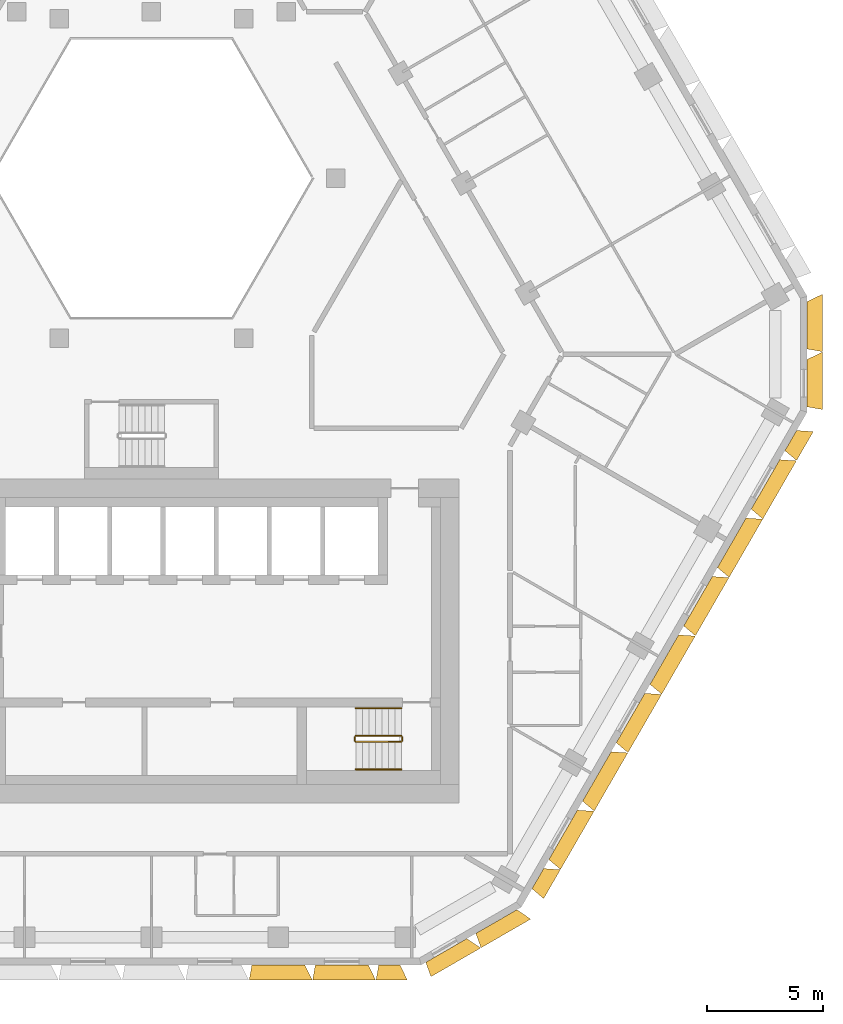
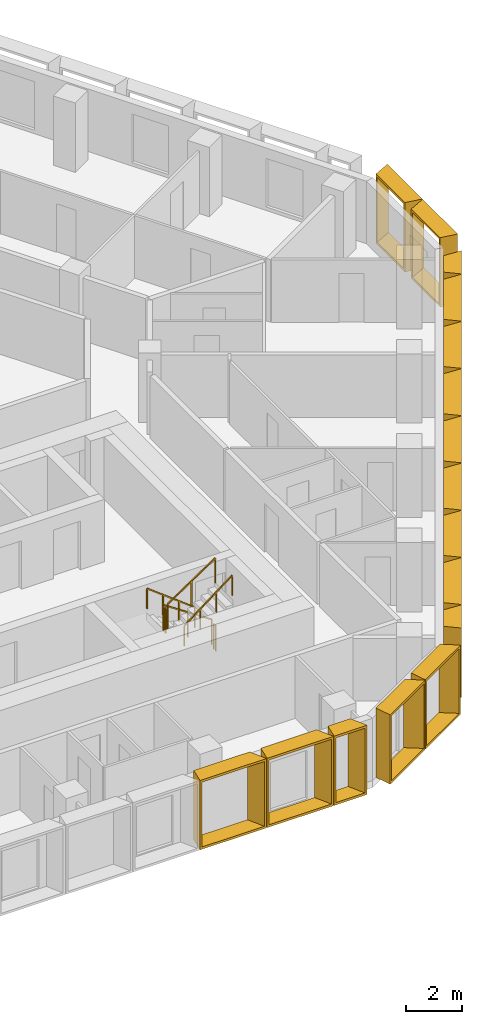
# One storey, part 14 of 15: 16 shading devices, 6 railings.
"""IFC4 building model written with IfcOpenShell, lengths in metres."""

from ifc_helpers import new_model, entity, si_unit, direction, frame, origin, origin_2d, place, context, subcontext, project, spatial, rectangle, extrude, source, transform, mapped, material, type_object, type_shapes, element, save


model = new_model("IFC4")

# Units and contexts
model_context = context("Model", 3, precision=1e-05, world=origin(), true_north=direction((0.0, 1.0)))
body_context = subcontext(model_context, "Body", "Model", "MODEL_VIEW")
ifc_project = project(units=[si_unit("LENGTHUNIT", "METRE"), si_unit("AREAUNIT", "SQUARE_METRE"), si_unit("VOLUMEUNIT", "CUBIC_METRE"), si_unit("PLANEANGLEUNIT", "RADIAN"), si_unit("MASSUNIT", "GRAM", prefix="KILO")], contexts=[model_context])

# Site, building, storey
site_placement = place(None, origin())
site = spatial("IfcSite", under=ifc_project, at=site_placement, CompositionType="ELEMENT")
building_placement = place(site_placement, origin())
building = spatial("IfcBuilding", under=site, at=building_placement, Name="Beryl Residences", CompositionType="ELEMENT")
storey_placement = place(building_placement, frame((0.0, 0.0, 147.60009765625)))
storey = spatial("IfcBuildingStorey", under=building, at=storey_placement, Name="L45", CompositionType="ELEMENT", Elevation=147.60009765625)

# Shading devices
ifc_material_1 = material(Name="Aluminium pale anodised", Category="aluminium")
shading_device_type_1 = type_object("IfcShadingDeviceType", Name="FR137-65C OUTER SKIN frame 650 mm deep, splay 10/26 deg, 1370 x 3000 mm cell", PredefinedType="USERDEFINED", material=ifc_material_1)
cartesian_point_1 = entity("IfcCartesianPoint", [-0.458984375, 0.0])
cartesian_point_2 = entity("IfcCartesianPoint", [-0.377685546875, 0.10009765625])
cartesian_point_3 = entity("IfcCartesianPoint", [-0.57373046875, 0.0])
cartesian_point_4 = entity("IfcCartesianPoint", [-0.492431640625, 0.10009765625])
shared_shape_1 = source(origin(), body_context, "Body", "SweptSolid", [
    entity("IfcExtrudedAreaSolidTapered", entity("IfcArbitraryProfileDefWithVoids", "AREA", None, entity("IfcPolyline", [cartesian_point_1, entity("IfcCartesianPoint", [0.458984375, 0.0]), entity("IfcCartesianPoint", [0.458984375, 3.0]), entity("IfcCartesianPoint", [-0.458984375, 3.0]), cartesian_point_1]), [entity("IfcPolyline", [cartesian_point_2, entity("IfcCartesianPoint", [0.369873046875, 0.10009765625]), entity("IfcCartesianPoint", [0.369873046875, 2.89990234375]), entity("IfcCartesianPoint", [-0.377685546875, 2.89990234375]), cartesian_point_2])]), entity("IfcAxis2Placement3D", entity("IfcCartesianPoint", [0.0, 0.0, 0.0]), entity("IfcDirection", [0.0, 1.0, 0.0]), entity("IfcDirection", [-1.0, 0.0, 0.0])), entity("IfcDirection", [0.0, 0.0, 1.0]), 0.64990234375, entity("IfcArbitraryProfileDefWithVoids", "AREA", None, entity("IfcPolyline", [cartesian_point_3, entity("IfcCartesianPoint", [0.776123046875, 0.0]), entity("IfcCartesianPoint", [0.776123046875, 3.0]), entity("IfcCartesianPoint", [-0.57373046875, 3.0]), cartesian_point_3]), [entity("IfcPolyline", [cartesian_point_4, entity("IfcCartesianPoint", [0.68701171875, 0.10009765625]), entity("IfcCartesianPoint", [0.68701171875, 2.89990234375]), entity("IfcCartesianPoint", [-0.492431640625, 2.89990234375]), cartesian_point_4])])),
])
type_shapes(shading_device_type_1, [shared_shape_1])
shading_device_placement = place(storey_placement, frame((10.284912109375, -26.0, 0.0), z_axis=(0.0, 0.0, 1.0), x_axis=(-1.0, 0.0, 0.0)))
element("IfcShadingDevice", 1, at=shading_device_placement, inside=storey, type_object=shading_device_type_1, Name="FR137-65C frame L45 S 9", ObjectType="OUTER SKIN", PredefinedType="USERDEFINED", context=body_context, shape_type="MappedRepresentation", body=[
    mapped(shared_shape_1, transform((0.0, 0.0, 0.0))),
])
ifc_material_2 = material(Name="Aluminium pale anodised", Category="aluminium")
shading_device_type_2 = type_object("IfcShadingDeviceType", Name="FR146-65C OUTER SKIN frame 650 mm deep, splay 10/26 deg, 1460 x 3000 mm cell", PredefinedType="USERDEFINED", material=ifc_material_2)
cartesian_point_5 = entity("IfcCartesianPoint", [-0.50390625, 0.0])
cartesian_point_6 = entity("IfcCartesianPoint", [-0.4228515625, 0.10009765625])
cartesian_point_7 = entity("IfcCartesianPoint", [-0.61865234375, 0.0])
cartesian_point_8 = entity("IfcCartesianPoint", [-0.537353515625, 0.10009765625])
shared_shape_2 = source(origin(), body_context, "Body", "SweptSolid", [
    entity("IfcExtrudedAreaSolidTapered", entity("IfcArbitraryProfileDefWithVoids", "AREA", None, entity("IfcPolyline", [cartesian_point_5, entity("IfcCartesianPoint", [0.50390625, 0.0]), entity("IfcCartesianPoint", [0.50390625, 3.0]), entity("IfcCartesianPoint", [-0.50390625, 3.0]), cartesian_point_5]), [entity("IfcPolyline", [cartesian_point_6, entity("IfcCartesianPoint", [0.4150390625, 0.10009765625]), entity("IfcCartesianPoint", [0.4150390625, 2.89990234375]), entity("IfcCartesianPoint", [-0.4228515625, 2.89990234375]), cartesian_point_6])]), entity("IfcAxis2Placement3D", entity("IfcCartesianPoint", [0.0, 0.0, 0.0]), entity("IfcDirection", [0.0, 1.0, 0.0]), entity("IfcDirection", [-1.0, 0.0, 0.0])), entity("IfcDirection", [0.0, 0.0, 1.0]), 0.64990234375, entity("IfcArbitraryProfileDefWithVoids", "AREA", None, entity("IfcPolyline", [cartesian_point_7, entity("IfcCartesianPoint", [0.821044921875, 0.0]), entity("IfcCartesianPoint", [0.821044921875, 3.0]), entity("IfcCartesianPoint", [-0.61865234375, 3.0]), cartesian_point_7]), [entity("IfcPolyline", [cartesian_point_8, entity("IfcCartesianPoint", [0.73193359375, 0.10009765625]), entity("IfcCartesianPoint", [0.73193359375, 2.89990234375]), entity("IfcCartesianPoint", [-0.537353515625, 2.89990234375]), cartesian_point_8])])),
])
type_shapes(shading_device_type_2, [shared_shape_2])
for number, where, z_axis, x_axis, name in (
    (2, (16.702880859375, -22.26904296875, 0.0), (0.0, 0.0, 1.0), (-0.5, -0.866025403784, 0.0), "FR146-65C frame L45 SE 1"),
    (3, (27.635986328125, -3.33203125, 0.0), (0.0, 0.0, 1.0), (-0.5, -0.866025403784, 0.0), "FR146-65C frame L45 SE 9"),
):
    element("IfcShadingDevice", number, at=place(storey_placement, frame(where, z_axis=z_axis, x_axis=x_axis)), inside=storey, type_object=shading_device_type_2, Name=name, ObjectType="OUTER SKIN", PredefinedType="USERDEFINED", context=body_context, shape_type="MappedRepresentation", body=[
        mapped(shared_shape_2, transform((0.0, 0.0, 0.0))),
    ])
ifc_material_3 = material(Name="Aluminium pale anodised", Category="aluminium")
shading_device_type_3 = type_object("IfcShadingDeviceType", Name="FR250-65C OUTER SKIN frame 650 mm deep, splay 10/26 deg, 2500 x 3000 mm cell", PredefinedType="USERDEFINED", material=ifc_material_3)
cartesian_point_9 = entity("IfcCartesianPoint", [-1.02392578125, 0.0])
cartesian_point_10 = entity("IfcCartesianPoint", [-0.94287109375, 0.10009765625])
cartesian_point_11 = entity("IfcCartesianPoint", [-1.138671875, 0.0])
cartesian_point_12 = entity("IfcCartesianPoint", [-1.057373046875, 0.10009765625])
shared_shape_3 = source(origin(), body_context, "Body", "SweptSolid", [
    entity("IfcExtrudedAreaSolidTapered", entity("IfcArbitraryProfileDefWithVoids", "AREA", None, entity("IfcPolyline", [cartesian_point_9, entity("IfcCartesianPoint", [1.02392578125, 0.0]), entity("IfcCartesianPoint", [1.02392578125, 3.0]), entity("IfcCartesianPoint", [-1.02392578125, 3.0]), cartesian_point_9]), [entity("IfcPolyline", [cartesian_point_10, entity("IfcCartesianPoint", [0.93505859375, 0.10009765625]), entity("IfcCartesianPoint", [0.93505859375, 2.89990234375]), entity("IfcCartesianPoint", [-0.94287109375, 2.89990234375]), cartesian_point_10])]), entity("IfcAxis2Placement3D", entity("IfcCartesianPoint", [0.0, 0.0, 0.0]), entity("IfcDirection", [0.0, 1.0, 0.0]), entity("IfcDirection", [-1.0, 0.0, 0.0])), entity("IfcDirection", [0.0, 0.0, 1.0]), 0.64990234375, entity("IfcArbitraryProfileDefWithVoids", "AREA", None, entity("IfcPolyline", [cartesian_point_11, entity("IfcCartesianPoint", [1.341064453125, 0.0]), entity("IfcCartesianPoint", [1.341064453125, 3.0]), entity("IfcCartesianPoint", [-1.138671875, 3.0]), cartesian_point_11]), [entity("IfcPolyline", [cartesian_point_12, entity("IfcCartesianPoint", [1.251953125, 0.10009765625]), entity("IfcCartesianPoint", [1.251953125, 2.89990234375]), entity("IfcCartesianPoint", [-1.057373046875, 2.89990234375]), cartesian_point_12])])),
])
type_shapes(shading_device_type_3, [shared_shape_3])
for number, where, z_axis, x_axis, name in (
    (4, (12.7451171875, -25.375, 0.0), (0.0, 0.0, 1.0), (-0.866025403784, -0.5, 0.0), "FR250-65C frame L45 S-SE 1"),
    (5, (14.909912109375, -24.125, 0.0), (0.0, 0.0, 1.0), (-0.866025403784, -0.5, 0.0), "FR250-65C frame L45 S-SE 2"),
    (6, (28.347900390625, -0.85009765625, 0.0), (0.0, 0.0, 1.0), (0.0, -1.0, 0.0), "FR250-65C frame L45 SE-NE 1"),
    (7, (28.347900390625, 1.64990234375, 0.0), (0.0, 0.0, 1.0), (0.0, -1.0, 0.0), "FR250-65C frame L45 SE-NE 2"),
):
    element("IfcShadingDevice", number, at=place(storey_placement, frame(where, z_axis=z_axis, x_axis=x_axis)), inside=storey, type_object=shading_device_type_3, Name=name, ObjectType="OUTER SKIN", PredefinedType="USERDEFINED", context=body_context, shape_type="MappedRepresentation", body=[
        mapped(shared_shape_3, transform((0.0, 0.0, 0.0))),
    ])
ifc_material_4 = material(Name="Aluminium pale anodised", Category="aluminium")
shading_device_type_4 = type_object("IfcShadingDeviceType", Name="FR274-65C OUTER SKIN frame 650 mm deep, splay 10/26 deg, 2740 x 3000 mm cell", PredefinedType="USERDEFINED", material=ifc_material_4)
cartesian_point_13 = entity("IfcCartesianPoint", [-1.14404296875, 0.0])
cartesian_point_14 = entity("IfcCartesianPoint", [-1.062744140625, 0.10009765625])
cartesian_point_15 = entity("IfcCartesianPoint", [-1.258544921875, 0.0])
cartesian_point_16 = entity("IfcCartesianPoint", [-1.177490234375, 0.10009765625])
shared_shape_4 = source(origin(), body_context, "Body", "SweptSolid", [
    entity("IfcExtrudedAreaSolidTapered", entity("IfcArbitraryProfileDefWithVoids", "AREA", None, entity("IfcPolyline", [cartesian_point_13, entity("IfcCartesianPoint", [1.14404296875, 0.0]), entity("IfcCartesianPoint", [1.14404296875, 3.0]), entity("IfcCartesianPoint", [-1.14404296875, 3.0]), cartesian_point_13]), [entity("IfcPolyline", [cartesian_point_14, entity("IfcCartesianPoint", [1.054931640625, 0.10009765625]), entity("IfcCartesianPoint", [1.054931640625, 2.89990234375]), entity("IfcCartesianPoint", [-1.062744140625, 2.89990234375]), cartesian_point_14])]), entity("IfcAxis2Placement3D", entity("IfcCartesianPoint", [0.0, 0.0, 0.0]), entity("IfcDirection", [0.0, 1.0, 0.0]), entity("IfcDirection", [-1.0, 0.0, 0.0])), entity("IfcDirection", [0.0, 0.0, 1.0]), 0.64990234375, entity("IfcArbitraryProfileDefWithVoids", "AREA", None, entity("IfcPolyline", [cartesian_point_15, entity("IfcCartesianPoint", [1.4609375, 0.0]), entity("IfcCartesianPoint", [1.4609375, 3.0]), entity("IfcCartesianPoint", [-1.258544921875, 3.0]), cartesian_point_15]), [entity("IfcPolyline", [cartesian_point_16, entity("IfcCartesianPoint", [1.3720703125, 0.10009765625]), entity("IfcCartesianPoint", [1.3720703125, 2.89990234375]), entity("IfcCartesianPoint", [-1.177490234375, 2.89990234375]), cartesian_point_16])])),
])
type_shapes(shading_device_type_4, [shared_shape_4])
for number, where, z_axis, x_axis, name in (
    (8, (5.486083984375, -26.0, 0.0), (0.0, 0.0, 1.0), (-1.0, 0.0, 0.0), "FR274-65C frame L45 S 7"),
    (9, (8.22900390625, -26.0, 0.0), (0.0, 0.0, 1.0), (-1.0, 0.0, 0.0), "FR274-65C frame L45 S 8"),
):
    element("IfcShadingDevice", number, at=place(storey_placement, frame(where, z_axis=z_axis, x_axis=x_axis)), inside=storey, type_object=shading_device_type_4, Name=name, ObjectType="OUTER SKIN", PredefinedType="USERDEFINED", context=body_context, shape_type="MappedRepresentation", body=[
        mapped(shared_shape_4, transform((0.0, 0.0, 0.0))),
    ])
ifc_material_5 = material(Name="Aluminium pale anodised", Category="aluminium")
shading_device_type_5 = type_object("IfcShadingDeviceType", Name="FR292-65C OUTER SKIN frame 650 mm deep, splay 10/26 deg, 2920 x 3000 mm cell", PredefinedType="USERDEFINED", material=ifc_material_5)
cartesian_point_17 = entity("IfcCartesianPoint", [-1.23388671875, 0.0])
cartesian_point_18 = entity("IfcCartesianPoint", [-1.15283203125, 0.10009765625])
cartesian_point_19 = entity("IfcCartesianPoint", [-1.3486328125, 0.0])
cartesian_point_20 = entity("IfcCartesianPoint", [-1.267333984375, 0.10009765625])
shared_shape_5 = source(origin(), body_context, "Body", "SweptSolid", [
    entity("IfcExtrudedAreaSolidTapered", entity("IfcArbitraryProfileDefWithVoids", "AREA", None, entity("IfcPolyline", [cartesian_point_17, entity("IfcCartesianPoint", [1.23388671875, 0.0]), entity("IfcCartesianPoint", [1.23388671875, 3.0]), entity("IfcCartesianPoint", [-1.23388671875, 3.0]), cartesian_point_17]), [entity("IfcPolyline", [cartesian_point_18, entity("IfcCartesianPoint", [1.14501953125, 0.10009765625]), entity("IfcCartesianPoint", [1.14501953125, 2.89990234375]), entity("IfcCartesianPoint", [-1.15283203125, 2.89990234375]), cartesian_point_18])]), entity("IfcAxis2Placement3D", entity("IfcCartesianPoint", [0.0, 0.0, 0.0]), entity("IfcDirection", [0.0, 1.0, 0.0]), entity("IfcDirection", [-1.0, 0.0, 0.0])), entity("IfcDirection", [0.0, 0.0, 1.0]), 0.64990234375, entity("IfcArbitraryProfileDefWithVoids", "AREA", None, entity("IfcPolyline", [cartesian_point_19, entity("IfcCartesianPoint", [1.551025390625, 0.0]), entity("IfcCartesianPoint", [1.551025390625, 3.0]), entity("IfcCartesianPoint", [-1.3486328125, 3.0]), cartesian_point_19]), [entity("IfcPolyline", [cartesian_point_20, entity("IfcCartesianPoint", [1.4619140625, 0.10009765625]), entity("IfcCartesianPoint", [1.4619140625, 2.89990234375]), entity("IfcCartesianPoint", [-1.267333984375, 2.89990234375]), cartesian_point_20])])),
])
type_shapes(shading_device_type_5, [shared_shape_5])
for number, where, z_axis, x_axis, name in (
    (10, (17.7958984375, -20.3759765625, 0.0), (0.0, 0.0, 1.0), (-0.5, -0.866025403784, 0.0), "FR292-65C frame L45 SE 2"),
    (11, (19.25390625, -17.85107421875, 0.0), (0.0, 0.0, 1.0), (-0.5, -0.866025403784, 0.0), "FR292-65C frame L45 SE 3"),
    (12, (20.7119140625, -15.325927734375, 0.0), (0.0, 0.0, 1.0), (-0.5, -0.866025403784, 0.0), "FR292-65C frame L45 SE 4"),
    (13, (22.169921875, -12.801025390625, 0.0), (0.0, 0.0, 1.0), (-0.5, -0.866025403784, 0.0), "FR292-65C frame L45 SE 5"),
    (14, (23.626953125, -10.27587890625, 0.0), (0.0, 0.0, 1.0), (-0.5, -0.866025403784, 0.0), "FR292-65C frame L45 SE 6"),
    (15, (25.0849609375, -7.7509765625, 0.0), (0.0, 0.0, 1.0), (-0.5, -0.866025403784, 0.0), "FR292-65C frame L45 SE 7"),
    (16, (26.54296875, -5.22607421875, 0.0), (0.0, 0.0, 1.0), (-0.5, -0.866025403784, 0.0), "FR292-65C frame L45 SE 8"),
):
    element("IfcShadingDevice", number, at=place(storey_placement, frame(where, z_axis=z_axis, x_axis=x_axis)), inside=storey, type_object=shading_device_type_5, Name=name, ObjectType="OUTER SKIN", PredefinedType="USERDEFINED", context=body_context, shape_type="MappedRepresentation", body=[
        mapped(shared_shape_5, transform((0.0, 0.0, 0.0))),
    ])

# Railings
ifc_material_6 = material(Name="Stainless steel balustrade with glass infill", Category="steel")
railing_type_1 = type_object("IfcRailingType", Name="SG1 stair guard 1100 mm", PredefinedType="GUARDRAIL", material=ifc_material_6)
railing_1_placement = place(storey_placement, frame((10.800048828125, -16.10009765625, 0.1875)))
element("IfcRailing", 17, at=railing_1_placement, inside=storey, type_object=railing_type_1, Name="L45 ST-3 stair guard 1", PredefinedType="GUARDRAIL", context=body_context, shape_type="SweptSolid", body=[
    extrude(rectangle(XDim=0.048095703125, YDim=0.048095703125, at=origin_2d()), frame((0.0, 0.0, 1.076171875), z_axis=(-0.830902050051, 0.0, 0.556418712142), x_axis=(0.0, -1.0, 0.0)), (0.0, 0.0, 1.0), 2.35888671875),
    extrude(rectangle(XDim=0.0419921875, YDim=0.0419921875, at=origin_2d()), origin(), (0.0, 0.0, 1.0), 1.052001953125),
    extrude(rectangle(XDim=0.0419921875, YDim=0.0419921875, at=origin_2d()), frame((-0.97998046875, 0.0, 0.65625)), (0.0, 0.0, 1.0), 1.052001953125),
    extrude(rectangle(XDim=0.0419921875, YDim=0.0419921875, at=origin_2d()), frame((-1.9599609375, 0.0, 1.3125)), (0.0, 0.0, 1.0), 1.052001953125),
])
railing_2_placement = place(storey_placement, frame((8.7900390625, -16.14990234375, 1.5)))
element("IfcRailing", 18, at=railing_2_placement, inside=storey, type_object=railing_type_1, Name="L45 ST-3 stair guard 2", PredefinedType="GUARDRAIL", context=body_context, shape_type="SweptSolid", body=[
    extrude(rectangle(XDim=0.048095703125, YDim=0.048095703125, at=origin_2d()), frame((0.0, 0.0, 1.076171875), z_axis=(0.0, -1.0, 0.0), x_axis=(1.0, 0.0, 0.0)), (0.0, 0.0, 1.0), 0.150146484375),
    extrude(rectangle(XDim=0.0419921875, YDim=0.0419921875, at=origin_2d()), origin(), (0.0, 0.0, 1.0), 1.052001953125),
    extrude(rectangle(XDim=0.0419921875, YDim=0.0419921875, at=origin_2d()), frame((0.0, -0.150146484375, 0.0)), (0.0, 0.0, 1.0), 1.052001953125),
])
railing_3_placement = place(storey_placement, frame((8.840087890625, -16.35009765625, 1.6875)))
element("IfcRailing", 19, at=railing_3_placement, inside=storey, type_object=railing_type_1, Name="L45 ST-3 stair guard 3", PredefinedType="GUARDRAIL", context=body_context, shape_type="SweptSolid", body=[
    extrude(rectangle(XDim=0.048095703125, YDim=0.048095703125, at=origin_2d()), frame((0.0, 0.0, 1.076171875), z_axis=(0.830902050051, 0.0, 0.556418712142), x_axis=(0.0, 1.0, 0.0)), (0.0, 0.0, 1.0), 2.35888671875),
    extrude(rectangle(XDim=0.0419921875, YDim=0.0419921875, at=origin_2d()), origin(), (0.0, 0.0, 1.0), 1.052001953125),
    extrude(rectangle(XDim=0.0419921875, YDim=0.0419921875, at=origin_2d()), frame((0.97998046875, 0.0, 0.65625)), (0.0, 0.0, 1.0), 1.052001953125),
    extrude(rectangle(XDim=0.0419921875, YDim=0.0419921875, at=origin_2d()), frame((1.9599609375, 0.0, 1.3125)), (0.0, 0.0, 1.0), 1.052001953125),
])
railing_4_placement = place(storey_placement, frame((10.85009765625, -16.14990234375, 0.0)))
element("IfcRailing", 20, at=railing_4_placement, inside=storey, type_object=railing_type_1, Name="L45 ST-3 stair guard 4", PredefinedType="GUARDRAIL", context=body_context, shape_type="SweptSolid", body=[
    extrude(rectangle(XDim=0.048095703125, YDim=0.048095703125, at=origin_2d()), frame((0.0, 0.0, 1.076171875), z_axis=(0.0, -1.0, 0.0), x_axis=(1.0, 0.0, 0.0)), (0.0, 0.0, 1.0), 0.150146484375),
    extrude(rectangle(XDim=0.0419921875, YDim=0.0419921875, at=origin_2d()), origin(), (0.0, 0.0, 1.0), 1.052001953125),
    extrude(rectangle(XDim=0.0419921875, YDim=0.0419921875, at=origin_2d()), frame((0.0, -0.150146484375, 0.0)), (0.0, 0.0, 1.0), 1.052001953125),
])
ifc_material_7 = material(Name="Stainless steel handrail", Category="steel")
railing_type_2 = type_object("IfcRailingType", Name="SRL1 stair handrail 900 mm", PredefinedType="HANDRAIL", material=ifc_material_7)
railing_5_placement = place(storey_placement, frame((10.800048828125, -14.89990234375, 0.1875)))
element("IfcRailing", 21, at=railing_5_placement, inside=storey, type_object=railing_type_2, Name="L45 ST-3 stair handrail 1", PredefinedType="HANDRAIL", context=body_context, shape_type="SweptSolid", body=[
    extrude(rectangle(XDim=0.048095703125, YDim=0.048095703125, at=origin_2d()), frame((0.0, 0.0, 0.8759765625), z_axis=(-0.794121922505, 0.0, 0.607758481798), x_axis=(0.0, -1.0, 0.0)), (0.0, 0.0, 1.0), 2.468017578125),
    extrude(rectangle(XDim=0.0419921875, YDim=0.0419921875, at=origin_2d()), origin(), (0.0, 0.0, 1.0), 0.851806640625),
    extrude(rectangle(XDim=0.0419921875, YDim=0.0419921875, at=origin_2d()), frame((-0.6533203125, 0.0, 0.5)), (0.0, 0.0, 1.0), 0.851806640625),
    extrude(rectangle(XDim=0.0419921875, YDim=0.0419921875, at=origin_2d()), frame((-1.306640625, 0.0, 1.0)), (0.0, 0.0, 1.0), 0.851806640625),
    extrude(rectangle(XDim=0.0419921875, YDim=0.0419921875, at=origin_2d()), frame((-1.9599609375, 0.0, 1.5)), (0.0, 0.0, 1.0), 0.851806640625),
])
railing_6_placement = place(storey_placement, frame((8.840087890625, -17.550048828125, 1.6875)))
element("IfcRailing", 22, at=railing_6_placement, inside=storey, type_object=railing_type_2, Name="L45 ST-3 stair handrail 2", PredefinedType="HANDRAIL", context=body_context, shape_type="SweptSolid", body=[
    extrude(rectangle(XDim=0.048095703125, YDim=0.048095703125, at=origin_2d()), frame((0.0, 0.0, 0.8759765625), z_axis=(0.794121922505, 0.0, 0.607758481798), x_axis=(0.0, 1.0, 0.0)), (0.0, 0.0, 1.0), 2.468017578125),
    extrude(rectangle(XDim=0.0419921875, YDim=0.0419921875, at=origin_2d()), origin(), (0.0, 0.0, 1.0), 0.851806640625),
    extrude(rectangle(XDim=0.0419921875, YDim=0.0419921875, at=origin_2d()), frame((0.6533203125, 0.0, 0.5)), (0.0, 0.0, 1.0), 0.851806640625),
    extrude(rectangle(XDim=0.0419921875, YDim=0.0419921875, at=origin_2d()), frame((1.306640625, 0.0, 1.0)), (0.0, 0.0, 1.0), 0.851806640625),
    extrude(rectangle(XDim=0.0419921875, YDim=0.0419921875, at=origin_2d()), frame((1.9599609375, 0.0, 1.5)), (0.0, 0.0, 1.0), 0.851806640625),
])

save(model, "model.ifc")
